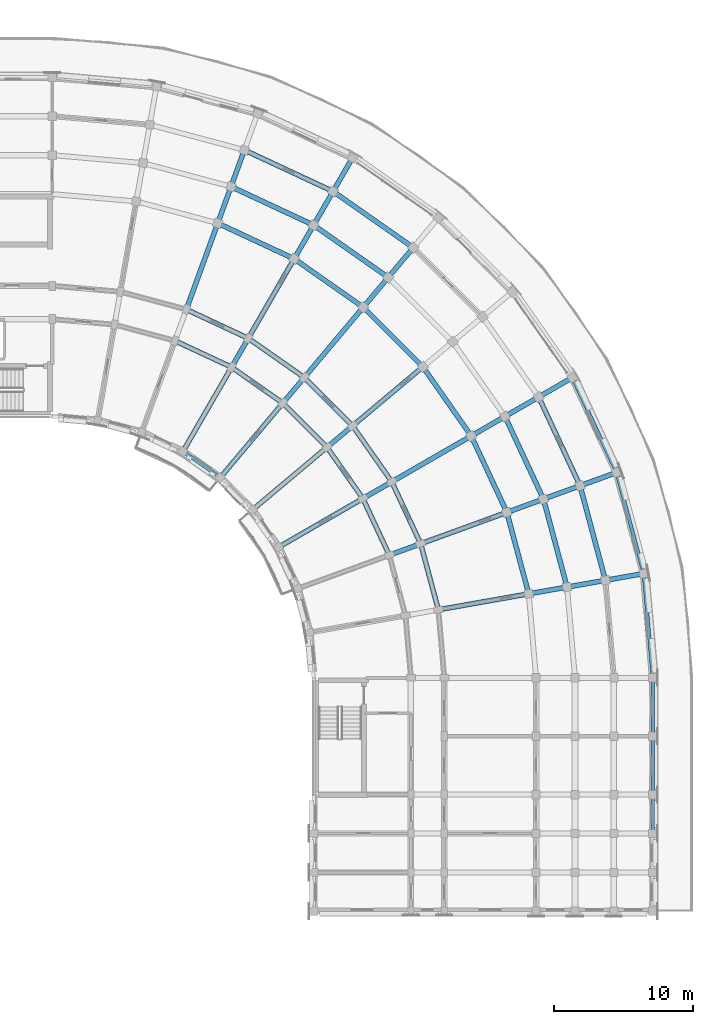
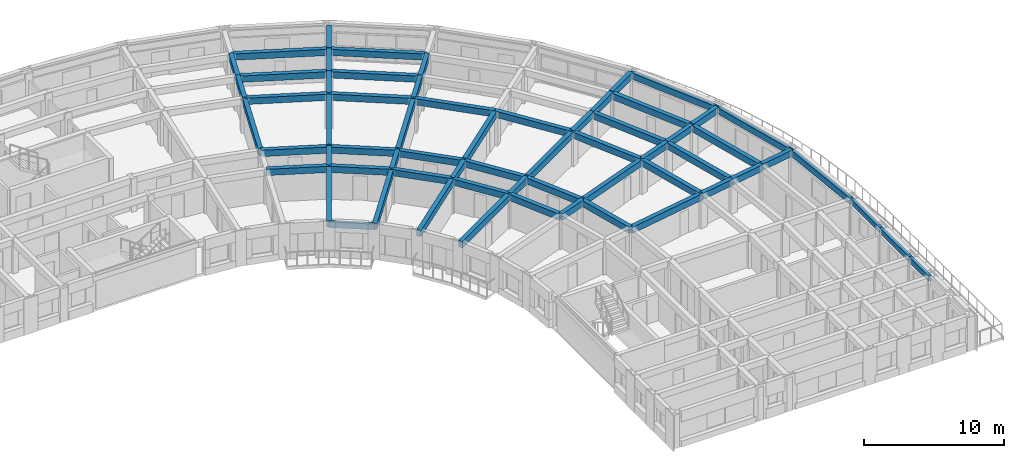
# One storey, part 10 of 53: 64 beams.
"""IFC4 building model written with IfcOpenShell, lengths in metres."""

import ifcopenshell
import ifcopenshell.guid

model = None  # the IFC model being written
_history = None  # IfcOwnerHistory: only IFC2X3 demands one
_inside = {}  # id of a spatial element -> (the spatial element, [elements in it])
_under = {}  # id of a project, library or spatial element -> (it, [spatial elements below it])
_declared = {}  # id of a project -> (the project, [libraries it declares])
_typed = {}  # id of a type object -> (the type object, [elements of that type])
_made_of = {}  # id of a material, layer set ... -> (it, [elements and type objects made of it])


def new_model(schema):
    """Start an empty IFC model of exactly this schema.

    Asked for "IFC4X3", IfcOpenShell would pick the latest addendum, in which some entities
    have other attributes; the version numbers below select the first issue.
    IFC2X3 requires an IfcOwnerHistory on every rooted entity: one is made here for all.
    """
    global model, _history
    if schema == "IFC4X3":
        model = ifcopenshell.file(schema_version=(4, 3, 0, 0))
    else:
        model = ifcopenshell.file(schema=schema)
    _inside.clear()
    _under.clear()
    _declared.clear()
    _typed.clear()
    _made_of.clear()
    _history = None
    if model.schema == "IFC2X3":
        org = make("IfcOrganization", Name="unknown")
        user = make(
            "IfcPersonAndOrganization",
            ThePerson=make("IfcPerson", FamilyName="unknown"),
            TheOrganization=org,
        )
        app = make(
            "IfcApplication",
            ApplicationDeveloper=org,
            Version="unknown",
            ApplicationFullName="unknown",
            ApplicationIdentifier="unknown",
        )
        _history = make(
            "IfcOwnerHistory",
            OwningUser=user,
            OwningApplication=app,
            ChangeAction="ADDED",
            CreationDate=0,
        )
    return model


def make(cls, **values):
    """One entity of the class cls with the attributes given. An attribute that is None is left unset."""
    return model.create_entity(
        cls, **{name: value for name, value in values.items() if value is not None}
    )


def rooted(cls, **values):
    """An entity with a GlobalId (a new one), such as an element, a storey or a relation."""
    return make(cls, GlobalId=ifcopenshell.guid.new(), OwnerHistory=_history, **values)


def si_unit(unit_type, name, prefix=None):
    """IfcSIUnit, for example si_unit("LENGTHUNIT", "METRE", prefix="MILLI")."""
    return make("IfcSIUnit", UnitType=unit_type, Prefix=prefix, Name=name)


def assignment(units):
    """IfcUnitAssignment: the units of a project."""
    return None if units is None else make("IfcUnitAssignment", Units=units)


def point(xyz):
    """IfcCartesianPoint."""
    return None if xyz is None else make("IfcCartesianPoint", Coordinates=xyz)


def direction(xyz):
    """IfcDirection."""
    return None if xyz is None else make("IfcDirection", DirectionRatios=xyz)


def frame(location, z_axis=None, x_axis=None):
    """IfcAxis2Placement3D, a coordinate frame: its origin and axes. An axis left out is left unset."""
    return make(
        "IfcAxis2Placement3D",
        Location=point(location),
        Axis=direction(z_axis),
        RefDirection=direction(x_axis),
    )


def frame_2d(location, x_axis=None):
    """IfcAxis2Placement2D, a coordinate frame in the plane: its origin and x axis."""
    return make(
        "IfcAxis2Placement2D", Location=point(location), RefDirection=direction(x_axis)
    )


def origin():
    """The frame at (0, 0, 0) with its axes left unset."""
    return frame((0.0, 0.0, 0.0))


def origin_2d():
    """The frame at (0, 0) in the plane with its x axis left unset."""
    return frame_2d((0.0, 0.0))


def place(relative_to, where):
    """IfcLocalPlacement: puts the frame where relative to a parent placement (None: the world)."""
    return make(
        "IfcLocalPlacement", PlacementRelTo=relative_to, RelativePlacement=where
    )


def context(
    kind, dimensions, precision=None, world=None, true_north=None, identifier=None
):
    """IfcGeometricRepresentationContext, for example the 3D "Model" context."""
    return make(
        "IfcGeometricRepresentationContext",
        ContextIdentifier=identifier,
        ContextType=kind,
        CoordinateSpaceDimension=dimensions,
        Precision=precision,
        WorldCoordinateSystem=world,
        TrueNorth=true_north,
    )


def subcontext(parent, identifier, kind, view, scale=None):
    """IfcGeometricRepresentationSubContext, for example "Body" below "Model"."""
    return make(
        "IfcGeometricRepresentationSubContext",
        ContextIdentifier=identifier,
        ContextType=kind,
        ParentContext=parent,
        TargetScale=scale,
        TargetView=view,
    )


def project(units=None, contexts=None):
    """IfcProject with its units and contexts."""
    return rooted(
        "IfcProject",
        Name="project",
        RepresentationContexts=contexts,
        UnitsInContext=assignment(units),
    )


def spatial(cls, under=None, at=None, **own):
    """A site, building, storey or space (cls), placed at a placement, below another one or the project."""
    s = rooted(cls, ObjectPlacement=at, **own)
    if under is not None:
        _under.setdefault(under.id(), (under, []))[1].append(s)
    return s


def profile(cls, at=None, kind="AREA", **sizes):
    """A parametric profile (cls). Its sizes go by their IFC names, for example OverallWidth=200.0."""
    return make(cls, ProfileType=kind, Position=at, **sizes)


def rectangle(**sizes):
    """IfcRectangleProfileDef."""
    return profile("IfcRectangleProfileDef", **sizes)


def extrude(swept, where, along, depth):
    """IfcExtrudedAreaSolid: the profile swept, set in the frame where, extruded along a direction by depth."""
    return make(
        "IfcExtrudedAreaSolid",
        SweptArea=swept,
        Position=where,
        ExtrudedDirection=direction(along),
        Depth=depth,
    )


def shape(context_of_items, identifier, shape_type, items):
    """IfcShapeRepresentation: the items that make up one representation, for example the "Body"."""
    return make(
        "IfcShapeRepresentation",
        ContextOfItems=context_of_items,
        RepresentationIdentifier=identifier,
        RepresentationType=shape_type,
        Items=items,
    )


def material(Name=None, Category=None):
    """IfcMaterial."""
    return make("IfcMaterial", Name=Name, Category=Category)


def material_profile(
    of_material, cross_section, Name=None, Category=None, Priority=None
):
    """IfcMaterialProfile: a cross section and its material."""
    return make(
        "IfcMaterialProfile",
        Name=Name,
        Material=of_material,
        Profile=cross_section,
        Priority=Priority,
        Category=Category,
    )


def profile_set(profiles, Name=None, composite=None):
    """IfcMaterialProfileSet."""
    return make(
        "IfcMaterialProfileSet",
        Name=Name,
        MaterialProfiles=profiles,
        CompositeProfile=composite,
    )


def made_of(thing, what):
    """Note that an element or type object is made of a material, layer set ...; save() writes the relation."""
    if what is not None:
        _made_of.setdefault(what.id(), (what, []))[1].append(thing)
    return thing


def type_object(cls, material=None, **own):
    """A type object (cls), such as IfcWallType, which elements share."""
    return made_of(rooted(cls, **own), material)


def element(
    cls,
    number,
    at=None,
    inside=None,
    cuts=None,
    type_object=None,
    material=None,
    context=None,
    identifier="Body",
    shape_type=None,
    held_by="IfcProductDefinitionShape",
    body=None,
    shapes=None,
    **own,
):
    """One element of the class cls, such as IfcWall. Its Tag is "e" and its number.

    at: its placement. inside: the storey or other place that contains it. cuts: it is an
    opening in that element (IfcRelVoidsElement). A single representation is given by context,
    identifier, shape_type and body (its items); several are given by shapes. held_by: the class
    of the entity that holds the representations. save() writes the other relations.
    """
    e = rooted(cls, Tag="e%d" % number, ObjectPlacement=at, **own)
    if body is not None:
        shapes = [shape(context, identifier, shape_type, body)]
    if shapes is not None:
        e.Representation = make(held_by, Representations=shapes)
    if inside is not None:
        _inside.setdefault(inside.id(), (inside, []))[1].append(e)
    if cuts is not None:
        rooted(
            "IfcRelVoidsElement", RelatingBuildingElement=cuts, RelatedOpeningElement=e
        )
    if type_object is not None:
        _typed.setdefault(type_object.id(), (type_object, []))[1].append(e)
    return made_of(e, material)


def aggregate(whole, parts):
    """IfcRelAggregates: a whole, such as a stair, and the parts it consists of."""
    return rooted("IfcRelAggregates", RelatingObject=whole, RelatedObjects=parts)


def save(model, path):
    """Write the relations noted so far, then the file.

    IfcRelAggregates (storeys below a building ...), IfcRelContainedInSpatialStructure (elements
    in a storey), IfcRelDefinesByType, IfcRelAssociatesMaterial and IfcRelDeclares: one each for
    every whole, place, type object, material and project.
    """
    for whole, parts in _under.values():
        aggregate(whole, parts)
    for where, things in _inside.values():
        rooted(
            "IfcRelContainedInSpatialStructure",
            RelatedElements=things,
            RelatingStructure=where,
        )
    for kind, things in _typed.values():
        rooted("IfcRelDefinesByType", RelatedObjects=things, RelatingType=kind)
    for what, things in _made_of.values():
        rooted("IfcRelAssociatesMaterial", RelatedObjects=things, RelatingMaterial=what)
    for by, libraries in _declared.values():
        rooted("IfcRelDeclares", RelatingContext=by, RelatedDefinitions=libraries)
    model.write(path)


model = new_model("IFC4")

# Units and contexts
model_context = context("Model", 3, precision=1e-05, world=origin(), true_north=direction((0.0, 1.0)))
body_context = subcontext(model_context, "Body", "Model", "MODEL_VIEW")
ifc_project = project(units=[si_unit("LENGTHUNIT", "METRE"), si_unit("AREAUNIT", "SQUARE_METRE"), si_unit("VOLUMEUNIT", "CUBIC_METRE"), si_unit("PLANEANGLEUNIT", "RADIAN"), si_unit("MASSUNIT", "GRAM", prefix="KILO")], contexts=[model_context])

# Site, building, storey
site_placement = place(None, origin())
site = spatial("IfcSite", under=ifc_project, at=site_placement, CompositionType="ELEMENT")
building_placement = place(site_placement, origin())
building = spatial("IfcBuilding", under=site, at=building_placement, Name="Kiranvali Square Residences", CompositionType="ELEMENT")
storey_placement = place(building_placement, frame((0.0, 0.0, 30.75)))
storey = spatial("IfcBuildingStorey", under=building, at=storey_placement, Name="L09", CompositionType="ELEMENT", Elevation=30.75)

# Beams
ifc_material = material(Name="Concrete M40 (40 MPa)", Category="concrete")
ifc_material_profile_1 = material_profile(ifc_material, rectangle(XDim=0.35009765625, YDim=0.550048828125, at=origin_2d()), Name="RC 350x550")
ifc_profile_set_1 = profile_set([ifc_material_profile_1], Name="Concrete M40 (40 MPa)")
beam_type_1 = type_object("IfcBeamType", Name="BM-M40-350x550", PredefinedType="BEAM", material=ifc_profile_set_1)
beam_1_placement = place(storey_placement, frame((128.6240234375, 112.044189453125, 2.655029296875), z_axis=(0.906307919131, -0.422617978463, 0.0), x_axis=(0.422617978463, 0.906307919131, 0.0)))
element("IfcBeam", 1, at=beam_1_placement, inside=storey, type_object=beam_type_1, Name="L09 beam BM-B-L09-C02-R1", PredefinedType="BEAM", context=body_context, shape_type="SweptSolid", body=[
    extrude(rectangle(XDim=0.35009765625, YDim=0.550048828125, at=origin_2d()), origin(), (0.0, 0.0, 1.0), 4.497314453125),
])
beam_2_placement = place(storey_placement, frame((129.445068359375, 114.29931640625, 2.655029296875), z_axis=(0.906302381024, -0.422629854778, 0.0), x_axis=(0.422629854778, 0.906302381024, 0.0)))
element("IfcBeam", 2, at=beam_2_placement, inside=storey, type_object=beam_type_1, Name="L09 beam BM-B-L09-C02-R2", PredefinedType="BEAM", context=body_context, shape_type="SweptSolid", body=[
    extrude(rectangle(XDim=0.35009765625, YDim=0.550048828125, at=origin_2d()), origin(), (0.0, 0.0, 1.0), 4.915283203125),
])
beam_3_placement = place(storey_placement, frame((131.702392578125, 120.501220703125, 2.655029296875), z_axis=(0.906312656069, -0.42260781991, 0.0), x_axis=(0.42260781991, 0.906312656069, 0.0)))
element("IfcBeam", 3, at=beam_3_placement, inside=storey, type_object=beam_type_1, Name="L09 beam BM-B-L09-C02-R3", PredefinedType="BEAM", context=body_context, shape_type="SweptSolid", body=[
    extrude(rectangle(XDim=0.35009765625, YDim=0.550048828125, at=origin_2d()), origin(), (0.0, 0.0, 1.0), 6.06591796875),
])
beam_4_placement = place(storey_placement, frame((132.659912109375, 123.13232421875, 2.655029296875), z_axis=(0.906318225223, -0.422595876255, 0.0), x_axis=(0.422595876255, 0.906318225223, 0.0)))
element("IfcBeam", 4, at=beam_4_placement, inside=storey, type_object=beam_type_1, Name="L09 beam BM-B-L09-C02-R4", PredefinedType="BEAM", context=body_context, shape_type="SweptSolid", body=[
    extrude(rectangle(XDim=0.35009765625, YDim=0.550048828125, at=origin_2d()), origin(), (0.0, 0.0, 1.0), 6.55419921875),
])
beam_5_placement = place(storey_placement, frame((133.61767578125, 125.763671875, 2.655029296875), z_axis=(0.906297360311, -0.422640621205, 0.0), x_axis=(0.422640621205, 0.906297360311, 0.0)))
element("IfcBeam", 5, at=beam_5_placement, inside=storey, type_object=beam_type_1, Name="L09 beam BM-B-L09-C02-R5", PredefinedType="BEAM", context=body_context, shape_type="SweptSolid", body=[
    extrude(rectangle(XDim=0.35009765625, YDim=0.550048828125, at=origin_2d()), origin(), (0.0, 0.0, 1.0), 7.042236328125),
])
beam_6_placement = place(storey_placement, frame((132.699951171875, 110.1435546875, 2.655029296875), z_axis=(0.819155404658, -0.573571637217, 0.0), x_axis=(0.573571637217, 0.819155404658, 0.0)))
element("IfcBeam", 6, at=beam_6_placement, inside=storey, type_object=beam_type_1, Name="L09 beam BM-B-L09-C03-R1", PredefinedType="BEAM", context=body_context, shape_type="SweptSolid", body=[
    extrude(rectangle(XDim=0.35009765625, YDim=0.550048828125, at=origin_2d()), origin(), (0.0, 0.0, 1.0), 4.497314453125),
])
beam_7_placement = place(storey_placement, frame((133.89990234375, 112.221923828125, 2.655029296875), z_axis=(0.819140911474, -0.573592335331, 0.0), x_axis=(0.573592335331, 0.819140911474, 0.0)))
element("IfcBeam", 7, at=beam_7_placement, inside=storey, type_object=beam_type_1, Name="L09 beam BM-B-L09-C03-R2", PredefinedType="BEAM", context=body_context, shape_type="SweptSolid", body=[
    extrude(rectangle(XDim=0.35009765625, YDim=0.550048828125, at=origin_2d()), origin(), (0.0, 0.0, 1.0), 4.915771484375),
])
beam_8_placement = place(storey_placement, frame((137.199951171875, 117.937744140625, 2.655029296875), z_axis=(0.81913926159, -0.573594691504, 0.0), x_axis=(0.573594691504, 0.81913926159, 0.0)))
element("IfcBeam", 8, at=beam_8_placement, inside=storey, type_object=beam_type_1, Name="L09 beam BM-B-L09-C03-R3", PredefinedType="BEAM", context=body_context, shape_type="SweptSolid", body=[
    extrude(rectangle(XDim=0.35009765625, YDim=0.550048828125, at=origin_2d()), origin(), (0.0, 0.0, 1.0), 6.066162109375),
])
beam_9_placement = place(storey_placement, frame((138.60009765625, 120.362548828125, 2.655029296875), z_axis=(0.819144409176, -0.573587340268, 0.0), x_axis=(0.573587340268, 0.819144409176, 0.0)))
element("IfcBeam", 9, at=beam_9_placement, inside=storey, type_object=beam_type_1, Name="L09 beam BM-B-L09-C03-R4", PredefinedType="BEAM", context=body_context, shape_type="SweptSolid", body=[
    extrude(rectangle(XDim=0.35009765625, YDim=0.550048828125, at=origin_2d()), origin(), (0.0, 0.0, 1.0), 6.553955078125),
])
beam_10_placement = place(storey_placement, frame((140.0, 122.787353515625, 2.655029296875), z_axis=(0.819160249246, -0.57356471828, 0.0), x_axis=(0.57356471828, 0.819160249246, 0.0)))
element("IfcBeam", 10, at=beam_10_placement, inside=storey, type_object=beam_type_1, Name="L09 beam BM-B-L09-C03-R5", PredefinedType="BEAM", context=body_context, shape_type="SweptSolid", body=[
    extrude(rectangle(XDim=0.35009765625, YDim=0.550048828125, at=origin_2d()), origin(), (0.0, 0.0, 1.0), 7.0419921875),
])
beam_11_placement = place(storey_placement, frame((136.384033203125, 107.56396484375, 2.655029296875), z_axis=(0.707106781187, -0.707106781187, 0.0), x_axis=(0.707106781187, 0.707106781187, 0.0)))
element("IfcBeam", 11, at=beam_11_placement, inside=storey, type_object=beam_type_1, Name="L09 beam BM-B-L09-C04-R1", PredefinedType="BEAM", context=body_context, shape_type="SweptSolid", body=[
    extrude(rectangle(XDim=0.35009765625, YDim=0.550048828125, at=origin_2d()), origin(), (0.0, 0.0, 1.0), 4.4970703125),
])
beam_12_placement = place(storey_placement, frame((137.926513671875, 109.40234375, 2.655029296875), z_axis=(0.707106781187, -0.707106781187, 0.0), x_axis=(0.707106781187, 0.707106781187, 0.0)))
element("IfcBeam", 12, at=beam_12_placement, inside=storey, type_object=beam_type_1, Name="L09 beam BM-B-L09-C04-R2", PredefinedType="BEAM", context=body_context, shape_type="SweptSolid", body=[
    extrude(rectangle(XDim=0.35009765625, YDim=0.550048828125, at=origin_2d()), origin(), (0.0, 0.0, 1.0), 4.91552734375),
])
beam_13_placement = place(storey_placement, frame((142.1689453125, 114.458251953125, 2.655029296875), z_axis=(0.707106781187, -0.707106781187, 0.0), x_axis=(0.707106781187, 0.707106781187, 0.0)))
element("IfcBeam", 13, at=beam_13_placement, inside=storey, type_object=beam_type_1, Name="L09 beam BM-B-L09-C04-R3", PredefinedType="BEAM", context=body_context, shape_type="SweptSolid", body=[
    extrude(rectangle(XDim=0.35009765625, YDim=0.550048828125, at=origin_2d()), origin(), (0.0, 0.0, 1.0), 6.06591796875),
])
beam_14_placement = place(storey_placement, frame((139.56396484375, 104.384033203125, 2.655029296875), z_axis=(0.573571637217, -0.819155404658, 0.0), x_axis=(0.819155404658, 0.573571637217, 0.0)))
element("IfcBeam", 14, at=beam_14_placement, inside=storey, type_object=beam_type_1, Name="L09 beam BM-B-L09-C05-R1", PredefinedType="BEAM", context=body_context, shape_type="SweptSolid", body=[
    extrude(rectangle(XDim=0.35009765625, YDim=0.550048828125, at=origin_2d()), origin(), (0.0, 0.0, 1.0), 4.497314453125),
])
beam_15_placement = place(storey_placement, frame((141.40234375, 105.926513671875, 2.655029296875), z_axis=(0.573592335331, -0.819140911474, 0.0), x_axis=(0.819140911474, 0.573592335331, 0.0)))
element("IfcBeam", 15, at=beam_15_placement, inside=storey, type_object=beam_type_1, Name="L09 beam BM-B-L09-C05-R2", PredefinedType="BEAM", context=body_context, shape_type="SweptSolid", body=[
    extrude(rectangle(XDim=0.35009765625, YDim=0.550048828125, at=origin_2d()), origin(), (0.0, 0.0, 1.0), 4.915771484375),
])
beam_16_placement = place(storey_placement, frame((146.458251953125, 110.1689453125, 2.655029296875), z_axis=(0.573594691504, -0.81913926159, 0.0), x_axis=(0.81913926159, 0.573594691504, 0.0)))
element("IfcBeam", 16, at=beam_16_placement, inside=storey, type_object=beam_type_1, Name="L09 beam BM-B-L09-C05-R3", PredefinedType="BEAM", context=body_context, shape_type="SweptSolid", body=[
    extrude(rectangle(XDim=0.35009765625, YDim=0.550048828125, at=origin_2d()), origin(), (0.0, 0.0, 1.0), 6.066162109375),
])
beam_17_placement = place(storey_placement, frame((142.1435546875, 100.699951171875, 2.655029296875), z_axis=(0.422617978463, -0.906307919131, 0.0), x_axis=(0.906307919131, 0.422617978463, 0.0)))
element("IfcBeam", 17, at=beam_17_placement, inside=storey, type_object=beam_type_1, Name="L09 beam BM-B-L09-C06-R1", PredefinedType="BEAM", context=body_context, shape_type="SweptSolid", body=[
    extrude(rectangle(XDim=0.35009765625, YDim=0.550048828125, at=origin_2d()), origin(), (0.0, 0.0, 1.0), 4.497314453125),
])
beam_18_placement = place(storey_placement, frame((144.221923828125, 101.89990234375, 2.655029296875), z_axis=(0.422629854778, -0.906302381024, 0.0), x_axis=(0.906302381024, 0.422629854778, 0.0)))
element("IfcBeam", 18, at=beam_18_placement, inside=storey, type_object=beam_type_1, Name="L09 beam BM-B-L09-C06-R2", PredefinedType="BEAM", context=body_context, shape_type="SweptSolid", body=[
    extrude(rectangle(XDim=0.35009765625, YDim=0.550048828125, at=origin_2d()), origin(), (0.0, 0.0, 1.0), 4.915283203125),
])
beam_19_placement = place(storey_placement, frame((149.937744140625, 105.199951171875, 2.655029296875), z_axis=(0.42260781991, -0.906312656069, 0.0), x_axis=(0.906312656069, 0.42260781991, 0.0)))
element("IfcBeam", 19, at=beam_19_placement, inside=storey, type_object=beam_type_1, Name="L09 beam BM-B-L09-C06-R3", PredefinedType="BEAM", context=body_context, shape_type="SweptSolid", body=[
    extrude(rectangle(XDim=0.35009765625, YDim=0.550048828125, at=origin_2d()), origin(), (0.0, 0.0, 1.0), 6.06591796875),
])
beam_20_placement = place(storey_placement, frame((152.362548828125, 106.60009765625, 2.655029296875), z_axis=(0.422595876255, -0.906318225223, 0.0), x_axis=(0.906318225223, 0.422595876255, 0.0)))
element("IfcBeam", 20, at=beam_20_placement, inside=storey, type_object=beam_type_1, Name="L09 beam BM-B-L09-C06-R4", PredefinedType="BEAM", context=body_context, shape_type="SweptSolid", body=[
    extrude(rectangle(XDim=0.35009765625, YDim=0.550048828125, at=origin_2d()), origin(), (0.0, 0.0, 1.0), 6.55419921875),
])
beam_21_placement = place(storey_placement, frame((154.787353515625, 108.0, 2.655029296875), z_axis=(0.422640621205, -0.906297360311, 0.0), x_axis=(0.906297360311, 0.422640621205, 0.0)))
element("IfcBeam", 21, at=beam_21_placement, inside=storey, type_object=beam_type_1, Name="L09 beam BM-B-L09-C06-R5", PredefinedType="BEAM", context=body_context, shape_type="SweptSolid", body=[
    extrude(rectangle(XDim=0.35009765625, YDim=0.550048828125, at=origin_2d()), origin(), (0.0, 0.0, 1.0), 7.042236328125),
])
beam_22_placement = place(storey_placement, frame((146.29931640625, 97.445068359375, 2.655029296875), z_axis=(0.258803112091, -0.965930095386, 0.0), x_axis=(0.965930095386, 0.258803112091, 0.0)))
element("IfcBeam", 22, at=beam_22_placement, inside=storey, type_object=beam_type_1, Name="L09 beam BM-B-L09-C07-R2", PredefinedType="BEAM", context=body_context, shape_type="SweptSolid", body=[
    extrude(rectangle(XDim=0.35009765625, YDim=0.550048828125, at=origin_2d()), origin(), (0.0, 0.0, 1.0), 4.915771484375),
])
beam_23_placement = place(storey_placement, frame((152.501220703125, 99.702392578125, 2.655029296875), z_axis=(0.258827283048, -0.965923618901, 0.0), x_axis=(0.965923618901, 0.258827283048, 0.0)))
element("IfcBeam", 23, at=beam_23_placement, inside=storey, type_object=beam_type_1, Name="L09 beam BM-B-L09-C07-R3", PredefinedType="BEAM", context=body_context, shape_type="SweptSolid", body=[
    extrude(rectangle(XDim=0.35009765625, YDim=0.550048828125, at=origin_2d()), origin(), (0.0, 0.0, 1.0), 6.066162109375),
])
beam_24_placement = place(storey_placement, frame((155.13232421875, 100.659912109375, 2.655029296875), z_axis=(0.258847178297, -0.965918287583, 0.0), x_axis=(0.965918287583, 0.258847178297, 0.0)))
element("IfcBeam", 24, at=beam_24_placement, inside=storey, type_object=beam_type_1, Name="L09 beam BM-B-L09-C07-R4", PredefinedType="BEAM", context=body_context, shape_type="SweptSolid", body=[
    extrude(rectangle(XDim=0.35009765625, YDim=0.550048828125, at=origin_2d()), origin(), (0.0, 0.0, 1.0), 6.55419921875),
])
beam_25_placement = place(storey_placement, frame((157.763671875, 101.61767578125, 2.655029296875), z_axis=(0.258799624492, -0.965931029817, 0.0), x_axis=(0.965931029817, 0.258799624492, 0.0)))
element("IfcBeam", 25, at=beam_25_placement, inside=storey, type_object=beam_type_1, Name="L09 beam BM-B-L09-C07-R5", PredefinedType="BEAM", context=body_context, shape_type="SweptSolid", body=[
    extrude(rectangle(XDim=0.35009765625, YDim=0.550048828125, at=origin_2d()), origin(), (0.0, 0.0, 1.0), 7.042236328125),
])
beam_26_placement = place(storey_placement, frame((129.445068359375, 114.29931640625, 2.655029296875), z_axis=(0.342022238372, 0.939691858249, 0.0), x_axis=(-0.939691858249, 0.342022238372, 0.0)))
element("IfcBeam", 26, at=beam_26_placement, inside=storey, type_object=beam_type_1, Name="L09 beam BM-B-L09-RAD02-23", PredefinedType="BEAM", context=body_context, shape_type="SweptSolid", body=[
    extrude(rectangle(XDim=0.35009765625, YDim=0.550048828125, at=origin_2d()), origin(), (0.0, 0.0, 1.0), 6.599853515625),
])
beam_27_placement = place(storey_placement, frame((131.702392578125, 120.501220703125, 2.655029296875), z_axis=(0.341981089711, 0.93970683422, 0.0), x_axis=(-0.93970683422, 0.341981089711, 0.0)))
element("IfcBeam", 27, at=beam_27_placement, inside=storey, type_object=beam_type_1, Name="L09 beam BM-B-L09-RAD02-34", PredefinedType="BEAM", context=body_context, shape_type="SweptSolid", body=[
    extrude(rectangle(XDim=0.35009765625, YDim=0.550048828125, at=origin_2d()), origin(), (0.0, 0.0, 1.0), 2.7998046875),
])
beam_28_placement = place(storey_placement, frame((132.659912109375, 123.13232421875, 2.655029296875), z_axis=(0.342030060398, 0.939689011208, 0.0), x_axis=(-0.939689011208, 0.342030060398, 0.0)))
element("IfcBeam", 28, at=beam_28_placement, inside=storey, type_object=beam_type_1, Name="L09 beam BM-B-L09-RAD02-45", PredefinedType="BEAM", context=body_context, shape_type="SweptSolid", body=[
    extrude(rectangle(XDim=0.35009765625, YDim=0.550048828125, at=origin_2d()), origin(), (0.0, 0.0, 1.0), 2.80029296875),
])
beam_29_placement = place(storey_placement, frame((129.199951171875, 104.081298828125, 2.655029296875), z_axis=(0.499995173006, 0.866028190633, 0.0), x_axis=(-0.866028190633, 0.499995173006, 0.0)))
element("IfcBeam", 29, at=beam_29_placement, inside=storey, type_object=beam_type_1, Name="L09 beam BM-B-L09-RAD03-01", PredefinedType="BEAM", context=body_context, shape_type="SweptSolid", body=[
    extrude(rectangle(XDim=0.35009765625, YDim=0.550048828125, at=origin_2d()), origin(), (0.0, 0.0, 1.0), 7.0),
])
beam_30_placement = place(storey_placement, frame((132.699951171875, 110.1435546875, 2.655029296875), z_axis=(0.500001309137, 0.866024647952, 0.0), x_axis=(-0.866024647952, 0.500001309137, 0.0)))
element("IfcBeam", 30, at=beam_30_placement, inside=storey, type_object=beam_type_1, Name="L09 beam BM-B-L09-RAD03-12", PredefinedType="BEAM", context=body_context, shape_type="SweptSolid", body=[
    extrude(rectangle(XDim=0.35009765625, YDim=0.550048828125, at=origin_2d()), origin(), (0.0, 0.0, 1.0), 2.39990234375),
])
beam_31_placement = place(storey_placement, frame((133.89990234375, 112.221923828125, 2.655029296875), z_axis=(0.500002094529, 0.866024194504, 0.0), x_axis=(-0.866024194504, 0.500002094529, 0.0)))
element("IfcBeam", 31, at=beam_31_placement, inside=storey, type_object=beam_type_1, Name="L09 beam BM-B-L09-RAD03-23", PredefinedType="BEAM", context=body_context, shape_type="SweptSolid", body=[
    extrude(rectangle(XDim=0.35009765625, YDim=0.550048828125, at=origin_2d()), origin(), (0.0, 0.0, 1.0), 6.60009765625),
])
beam_32_placement = place(storey_placement, frame((137.199951171875, 117.937744140625, 2.655029296875), z_axis=(0.500049511043, 0.865996816683, 0.0), x_axis=(-0.865996816683, 0.500049511043, 0.0)))
element("IfcBeam", 32, at=beam_32_placement, inside=storey, type_object=beam_type_1, Name="L09 beam BM-B-L09-RAD03-34", PredefinedType="BEAM", context=body_context, shape_type="SweptSolid", body=[
    extrude(rectangle(XDim=0.35009765625, YDim=0.550048828125, at=origin_2d()), origin(), (0.0, 0.0, 1.0), 2.800048828125),
])
beam_33_placement = place(storey_placement, frame((138.60009765625, 120.362548828125, 2.655029296875), z_axis=(0.49998411664, 0.866034573852, 0.0), x_axis=(-0.866034573852, 0.49998411664, 0.0)))
element("IfcBeam", 33, at=beam_33_placement, inside=storey, type_object=beam_type_1, Name="L09 beam BM-B-L09-RAD03-45", PredefinedType="BEAM", context=body_context, shape_type="SweptSolid", body=[
    extrude(rectangle(XDim=0.35009765625, YDim=0.550048828125, at=origin_2d()), origin(), (0.0, 0.0, 1.0), 2.7998046875),
])
beam_34_placement = place(storey_placement, frame((140.0, 122.787353515625, 2.695068359375), z_axis=(0.49994636267, 0.866056369097, 0.0), x_axis=(-0.866056369097, 0.49994636267, 0.0)))
element("IfcBeam", 34, at=beam_34_placement, inside=storey, type_object=beam_type_1, Name="L09 beam BM-B-L09-RAD03-56", PredefinedType="BEAM", context=body_context, shape_type="SweptSolid", body=[
    extrude(rectangle(XDim=0.35009765625, YDim=0.550048828125, at=origin_2d()), origin(), (0.0, 0.0, 1.0), 2.800048828125),
])
beam_35_placement = place(storey_placement, frame((131.884521484375, 102.20166015625, 2.655029296875), z_axis=(0.642787931032, 0.766044173478, 0.0), x_axis=(-0.766044173478, 0.642787931032, 0.0)))
element("IfcBeam", 35, at=beam_35_placement, inside=storey, type_object=beam_type_1, Name="L09 beam BM-B-L09-RAD04-01", PredefinedType="BEAM", context=body_context, shape_type="SweptSolid", body=[
    extrude(rectangle(XDim=0.35009765625, YDim=0.550048828125, at=origin_2d()), origin(), (0.0, 0.0, 1.0), 7.0),
])
beam_36_placement = place(storey_placement, frame((136.384033203125, 107.56396484375, 2.655029296875), z_axis=(0.642762521781, 0.766065493671, 0.0), x_axis=(-0.766065493671, 0.642762521781, 0.0)))
element("IfcBeam", 36, at=beam_36_placement, inside=storey, type_object=beam_type_1, Name="L09 beam BM-B-L09-RAD04-12", PredefinedType="BEAM", context=body_context, shape_type="SweptSolid", body=[
    extrude(rectangle(XDim=0.35009765625, YDim=0.550048828125, at=origin_2d()), origin(), (0.0, 0.0, 1.0), 2.399658203125),
])
beam_37_placement = place(storey_placement, frame((137.926513671875, 109.40234375, 2.655029296875), z_axis=(0.642789470807, 0.766042881449, 0.0), x_axis=(-0.766042881449, 0.642789470807, 0.0)))
element("IfcBeam", 37, at=beam_37_placement, inside=storey, type_object=beam_type_1, Name="L09 beam BM-B-L09-RAD04-23", PredefinedType="BEAM", context=body_context, shape_type="SweptSolid", body=[
    extrude(rectangle(XDim=0.35009765625, YDim=0.550048828125, at=origin_2d()), origin(), (0.0, 0.0, 1.0), 6.60009765625),
])
for number, where, z_axis, x_axis, name in (
    (38, (142.1689453125, 114.458251953125, 2.655029296875), (0.642770757628, 0.766058583359, 0.0), (-0.766058583359, 0.642770757628, 0.0), "L09 beam BM-B-L09-RAD04-34"),
    (39, (143.96875, 116.603271484375, 2.655029296875), (0.642770757628, 0.766058583359, 0.0), (-0.766058583359, 0.642770757628, 0.0), "L09 beam BM-B-L09-RAD04-45"),
):
    element("IfcBeam", number, at=place(storey_placement, frame(where, z_axis=z_axis, x_axis=x_axis)), inside=storey, type_object=beam_type_1, Name=name, PredefinedType="BEAM", context=body_context, shape_type="SweptSolid", body=[
        extrude(rectangle(XDim=0.35009765625, YDim=0.550048828125, at=origin_2d()), origin(), (0.0, 0.0, 1.0), 2.800048828125),
    ])
beam_38_placement = place(storey_placement, frame((134.20166015625, 99.884521484375, 2.655029296875), z_axis=(0.766044173478, 0.642787931032, 0.0), x_axis=(-0.642787931032, 0.766044173478, 0.0)))
element("IfcBeam", 40, at=beam_38_placement, inside=storey, type_object=beam_type_1, Name="L09 beam BM-B-L09-RAD05-01", PredefinedType="BEAM", context=body_context, shape_type="SweptSolid", body=[
    extrude(rectangle(XDim=0.35009765625, YDim=0.550048828125, at=origin_2d()), origin(), (0.0, 0.0, 1.0), 7.0),
])
beam_39_placement = place(storey_placement, frame((139.56396484375, 104.384033203125, 2.655029296875), z_axis=(0.766065493671, 0.642762521781, 0.0), x_axis=(-0.642762521781, 0.766065493671, 0.0)))
element("IfcBeam", 41, at=beam_39_placement, inside=storey, type_object=beam_type_1, Name="L09 beam BM-B-L09-RAD05-12", PredefinedType="BEAM", context=body_context, shape_type="SweptSolid", body=[
    extrude(rectangle(XDim=0.35009765625, YDim=0.550048828125, at=origin_2d()), origin(), (0.0, 0.0, 1.0), 2.399658203125),
])
beam_40_placement = place(storey_placement, frame((141.40234375, 105.926513671875, 2.655029296875), z_axis=(0.766042881449, 0.642789470807, 0.0), x_axis=(-0.642789470807, 0.766042881449, 0.0)))
element("IfcBeam", 42, at=beam_40_placement, inside=storey, type_object=beam_type_1, Name="L09 beam BM-B-L09-RAD05-23", PredefinedType="BEAM", context=body_context, shape_type="SweptSolid", body=[
    extrude(rectangle(XDim=0.35009765625, YDim=0.550048828125, at=origin_2d()), origin(), (0.0, 0.0, 1.0), 6.60009765625),
])
beam_41_placement = place(storey_placement, frame((136.081298828125, 97.199951171875, 2.655029296875), z_axis=(0.866028190633, 0.499995173006, 0.0), x_axis=(-0.499995173006, 0.866028190633, 0.0)))
element("IfcBeam", 43, at=beam_41_placement, inside=storey, type_object=beam_type_1, Name="L09 beam BM-B-L09-RAD06-01", PredefinedType="BEAM", context=body_context, shape_type="SweptSolid", body=[
    extrude(rectangle(XDim=0.35009765625, YDim=0.550048828125, at=origin_2d()), origin(), (0.0, 0.0, 1.0), 7.0),
])
beam_42_placement = place(storey_placement, frame((142.1435546875, 100.699951171875, 2.655029296875), z_axis=(0.866024647952, 0.500001309137, 0.0), x_axis=(-0.500001309137, 0.866024647952, 0.0)))
element("IfcBeam", 44, at=beam_42_placement, inside=storey, type_object=beam_type_1, Name="L09 beam BM-B-L09-RAD06-12", PredefinedType="BEAM", context=body_context, shape_type="SweptSolid", body=[
    extrude(rectangle(XDim=0.35009765625, YDim=0.550048828125, at=origin_2d()), origin(), (0.0, 0.0, 1.0), 2.39990234375),
])
beam_43_placement = place(storey_placement, frame((144.221923828125, 101.89990234375, 2.655029296875), z_axis=(0.866024194504, 0.500002094529, 0.0), x_axis=(-0.500002094529, 0.866024194504, 0.0)))
element("IfcBeam", 45, at=beam_43_placement, inside=storey, type_object=beam_type_1, Name="L09 beam BM-B-L09-RAD06-23", PredefinedType="BEAM", context=body_context, shape_type="SweptSolid", body=[
    extrude(rectangle(XDim=0.35009765625, YDim=0.550048828125, at=origin_2d()), origin(), (0.0, 0.0, 1.0), 6.60009765625),
])
beam_44_placement = place(storey_placement, frame((149.937744140625, 105.199951171875, 2.655029296875), z_axis=(0.865996816683, 0.500049511043, 0.0), x_axis=(-0.500049511043, 0.865996816683, 0.0)))
element("IfcBeam", 46, at=beam_44_placement, inside=storey, type_object=beam_type_1, Name="L09 beam BM-B-L09-RAD06-34", PredefinedType="BEAM", context=body_context, shape_type="SweptSolid", body=[
    extrude(rectangle(XDim=0.35009765625, YDim=0.550048828125, at=origin_2d()), origin(), (0.0, 0.0, 1.0), 2.800048828125),
])
beam_45_placement = place(storey_placement, frame((152.362548828125, 106.60009765625, 2.655029296875), z_axis=(0.866034573852, 0.49998411664, 0.0), x_axis=(-0.49998411664, 0.866034573852, 0.0)))
element("IfcBeam", 47, at=beam_45_placement, inside=storey, type_object=beam_type_1, Name="L09 beam BM-B-L09-RAD06-45", PredefinedType="BEAM", context=body_context, shape_type="SweptSolid", body=[
    extrude(rectangle(XDim=0.35009765625, YDim=0.550048828125, at=origin_2d()), origin(), (0.0, 0.0, 1.0), 2.7998046875),
])
beam_46_placement = place(storey_placement, frame((154.787353515625, 108.0, 2.695068359375), z_axis=(0.866056369097, 0.49994636267, 0.0), x_axis=(-0.49994636267, 0.866056369097, 0.0)))
element("IfcBeam", 48, at=beam_46_placement, inside=storey, type_object=beam_type_1, Name="L09 beam BM-B-L09-RAD06-56", PredefinedType="BEAM", context=body_context, shape_type="SweptSolid", body=[
    extrude(rectangle(XDim=0.35009765625, YDim=0.550048828125, at=origin_2d()), origin(), (0.0, 0.0, 1.0), 2.800048828125),
])
beam_47_placement = place(storey_placement, frame((144.044189453125, 96.6240234375, 2.655029296875), z_axis=(0.939659694648, 0.342110593602, 0.0), x_axis=(-0.342110593602, 0.939659694648, 0.0)))
element("IfcBeam", 49, at=beam_47_placement, inside=storey, type_object=beam_type_1, Name="L09 beam BM-B-L09-RAD07-12", PredefinedType="BEAM", context=body_context, shape_type="SweptSolid", body=[
    extrude(rectangle(XDim=0.35009765625, YDim=0.550048828125, at=origin_2d()), origin(), (0.0, 0.0, 1.0), 2.39990234375),
])
beam_48_placement = place(storey_placement, frame((146.29931640625, 97.445068359375, 2.655029296875), z_axis=(0.939691858249, 0.342022238372, 0.0), x_axis=(-0.342022238372, 0.939691858249, 0.0)))
element("IfcBeam", 50, at=beam_48_placement, inside=storey, type_object=beam_type_1, Name="L09 beam BM-B-L09-RAD07-23", PredefinedType="BEAM", context=body_context, shape_type="SweptSolid", body=[
    extrude(rectangle(XDim=0.35009765625, YDim=0.550048828125, at=origin_2d()), origin(), (0.0, 0.0, 1.0), 6.599853515625),
])
beam_49_placement = place(storey_placement, frame((152.501220703125, 99.702392578125, 2.655029296875), z_axis=(0.93970683422, 0.341981089711, 0.0), x_axis=(-0.341981089711, 0.93970683422, 0.0)))
element("IfcBeam", 51, at=beam_49_placement, inside=storey, type_object=beam_type_1, Name="L09 beam BM-B-L09-RAD07-34", PredefinedType="BEAM", context=body_context, shape_type="SweptSolid", body=[
    extrude(rectangle(XDim=0.35009765625, YDim=0.550048828125, at=origin_2d()), origin(), (0.0, 0.0, 1.0), 2.7998046875),
])
beam_50_placement = place(storey_placement, frame((155.13232421875, 100.659912109375, 2.655029296875), z_axis=(0.939689011208, 0.342030060398, 0.0), x_axis=(-0.342030060398, 0.939689011208, 0.0)))
element("IfcBeam", 52, at=beam_50_placement, inside=storey, type_object=beam_type_1, Name="L09 beam BM-B-L09-RAD07-45", PredefinedType="BEAM", context=body_context, shape_type="SweptSolid", body=[
    extrude(rectangle(XDim=0.35009765625, YDim=0.550048828125, at=origin_2d()), origin(), (0.0, 0.0, 1.0), 2.80029296875),
])
beam_51_placement = place(storey_placement, frame((157.763671875, 101.61767578125, 2.695068359375), z_axis=(0.93970683422, 0.341981089711, 0.0), x_axis=(-0.341981089711, 0.93970683422, 0.0)))
element("IfcBeam", 53, at=beam_51_placement, inside=storey, type_object=beam_type_1, Name="L09 beam BM-B-L09-RAD07-56", PredefinedType="BEAM", context=body_context, shape_type="SweptSolid", body=[
    extrude(rectangle(XDim=0.35009765625, YDim=0.550048828125, at=origin_2d()), origin(), (0.0, 0.0, 1.0), 2.7998046875),
])
beam_52_placement = place(storey_placement, frame((147.571533203125, 92.69677734375, 2.655029296875), z_axis=(0.984803661269, 0.173671381499, 0.0), x_axis=(-0.173671381499, 0.984803661269, 0.0)))
element("IfcBeam", 54, at=beam_52_placement, inside=storey, type_object=beam_type_1, Name="L09 beam BM-B-L09-RAD08-23", PredefinedType="BEAM", context=body_context, shape_type="SweptSolid", body=[
    extrude(rectangle(XDim=0.35009765625, YDim=0.550048828125, at=origin_2d()), origin(), (0.0, 0.0, 1.0), 6.60009765625),
])
beam_53_placement = place(storey_placement, frame((154.0712890625, 93.843017578125, 2.655029296875), z_axis=(0.984816895441, 0.173596320392, 0.0), x_axis=(-0.173596320392, 0.984816895441, 0.0)))
element("IfcBeam", 55, at=beam_53_placement, inside=storey, type_object=beam_type_1, Name="L09 beam BM-B-L09-RAD08-34", PredefinedType="BEAM", context=body_context, shape_type="SweptSolid", body=[
    extrude(rectangle(XDim=0.35009765625, YDim=0.550048828125, at=origin_2d()), origin(), (0.0, 0.0, 1.0), 2.800048828125),
])
beam_54_placement = place(storey_placement, frame((156.828857421875, 94.3291015625, 2.655029296875), z_axis=(0.984799355489, 0.173695795656, 0.0), x_axis=(-0.173695795656, 0.984799355489, 0.0)))
element("IfcBeam", 56, at=beam_54_placement, inside=storey, type_object=beam_type_1, Name="L09 beam BM-B-L09-RAD08-45", PredefinedType="BEAM", context=body_context, shape_type="SweptSolid", body=[
    extrude(rectangle(XDim=0.35009765625, YDim=0.550048828125, at=origin_2d()), origin(), (0.0, 0.0, 1.0), 2.7998046875),
])
beam_55_placement = place(storey_placement, frame((159.586181640625, 94.8154296875, 2.695068359375), z_axis=(0.984816895441, 0.173596320392, 0.0), x_axis=(-0.173596320392, 0.984816895441, 0.0)))
element("IfcBeam", 57, at=beam_55_placement, inside=storey, type_object=beam_type_1, Name="L09 beam BM-B-L09-RAD08-56", PredefinedType="BEAM", context=body_context, shape_type="SweptSolid", body=[
    extrude(rectangle(XDim=0.35009765625, YDim=0.550048828125, at=origin_2d()), origin(), (0.0, 0.0, 1.0), 2.800048828125),
])
ifc_material_profile_2 = material_profile(ifc_material, rectangle(XDim=0.25, YDim=0.449951171875, at=origin_2d()), Name="RC 250x450")
ifc_profile_set_2 = profile_set([ifc_material_profile_2], Name="Concrete M40 (40 MPa)")
beam_type_2 = type_object("IfcBeamType", Name="SPN-M40-250x450", PredefinedType="SPANDREL", material=ifc_profile_set_2)
beam_56_placement = place(storey_placement, frame((163.0, 87.800048828125, 2.7451171875), z_axis=(0.0, -1.0, 0.0), x_axis=(1.0, 0.0, 0.0)))
element("IfcBeam", 58, at=beam_56_placement, inside=storey, type_object=beam_type_2, Name="L09 beam BM-B-L09-A2V0-R6", PredefinedType="SPANDREL", context=body_context, shape_type="SweptSolid", body=[
    extrude(rectangle(XDim=0.25, YDim=0.449951171875, at=origin_2d()), origin(), (0.0, 0.0, 1.0), 4.199951171875),
])
beam_57_placement = place(storey_placement, frame((163.0, 83.60009765625, 2.7451171875), z_axis=(0.0, -1.0, 0.0), x_axis=(1.0, 0.0, 0.0)))
element("IfcBeam", 59, at=beam_57_placement, inside=storey, type_object=beam_type_2, Name="L09 beam BM-B-L09-A2V1-R6", PredefinedType="SPANDREL", context=body_context, shape_type="SweptSolid", body=[
    extrude(rectangle(XDim=0.25, YDim=0.449951171875, at=origin_2d()), origin(), (0.0, 0.0, 1.0), 4.2001953125),
])
beam_58_placement = place(storey_placement, frame((163.0, 79.39990234375, 2.7451171875), z_axis=(0.0, -1.0, 0.0), x_axis=(1.0, 0.0, 0.0)))
element("IfcBeam", 60, at=beam_58_placement, inside=storey, type_object=beam_type_2, Name="L09 beam BM-B-L09-A2V2-R6", PredefinedType="SPANDREL", context=body_context, shape_type="SweptSolid", body=[
    extrude(rectangle(XDim=0.25, YDim=0.449951171875, at=origin_2d()), origin(), (0.0, 0.0, 1.0), 2.7998046875),
])
ifc_material_profile_3 = material_profile(ifc_material, rectangle(XDim=0.25, YDim=0.5, at=origin_2d()), Name="RC 250x500")
ifc_profile_set_3 = profile_set([ifc_material_profile_3], Name="Concrete M40 (40 MPa)")
beam_type_3 = type_object("IfcBeamType", Name="SPN-M40-250x500", PredefinedType="SPANDREL", material=ifc_profile_set_3)
beam_59_placement = place(storey_placement, frame((129.199951171875, 104.081298828125, 2.679931640625), z_axis=(0.81916891812, -0.573552337269, 0.0), x_axis=(0.573552337269, 0.81916891812, 0.0)))
element("IfcBeam", 61, at=beam_59_placement, inside=storey, type_object=beam_type_3, Name="L09 beam BM-B-L09-C03-R0", PredefinedType="SPANDREL", context=body_context, shape_type="SweptSolid", body=[
    extrude(rectangle(XDim=0.25, YDim=0.5, at=origin_2d()), origin(), (0.0, 0.0, 1.0), 3.277099609375),
])
ifc_material_profile_4 = material_profile(ifc_material, rectangle(XDim=0.25, YDim=0.550048828125, at=origin_2d()), Name="RC 250x550")
ifc_profile_set_4 = profile_set([ifc_material_profile_4], Name="Concrete M40 (40 MPa)")
beam_type_4 = type_object("IfcBeamType", Name="SPN-M40-250x550", PredefinedType="SPANDREL", material=ifc_profile_set_4)
for number, where, z_axis, x_axis, name in (
    (62, (157.21240234375, 109.39990234375, 2.695068359375), (0.422613886933, -0.90630982703, 0.0), (0.90630982703, 0.422613886933, 0.0), "L09 beam BM-B-L09-C06-R6"),
    (63, (160.394775390625, 102.5751953125, 2.695068359375), (0.258818733833, -0.965925909693, 0.0), (0.965925909693, 0.258818733833, 0.0), "L09 beam BM-B-L09-C07-R6"),
):
    element("IfcBeam", number, at=place(storey_placement, frame(where, z_axis=z_axis, x_axis=x_axis)), inside=storey, type_object=beam_type_4, Name=name, PredefinedType="SPANDREL", context=body_context, shape_type="SweptSolid", body=[
        extrude(rectangle(XDim=0.25, YDim=0.550048828125, at=origin_2d()), origin(), (0.0, 0.0, 1.0), 7.5302734375),
    ])
beam_60_placement = place(storey_placement, frame((162.34375, 95.301513671875, 2.695068359375), z_axis=(0.087150058103, -0.996195195417, 0.0), x_axis=(0.996195195417, 0.087150058103, 0.0)))
element("IfcBeam", 64, at=beam_60_placement, inside=storey, type_object=beam_type_4, Name="L09 beam BM-B-L09-C08-R6", PredefinedType="SPANDREL", context=body_context, shape_type="SweptSolid", body=[
    extrude(rectangle(XDim=0.25, YDim=0.550048828125, at=origin_2d()), origin(), (0.0, 0.0, 1.0), 7.530029296875),
])

save(model, "model.ifc")
